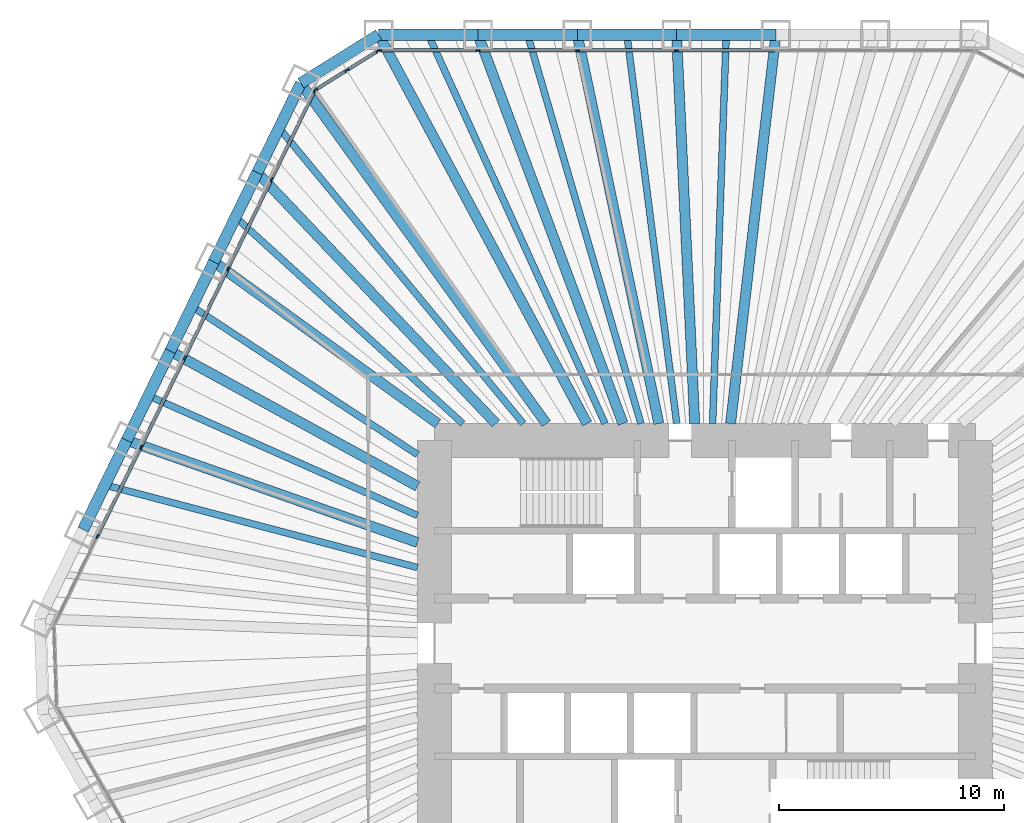
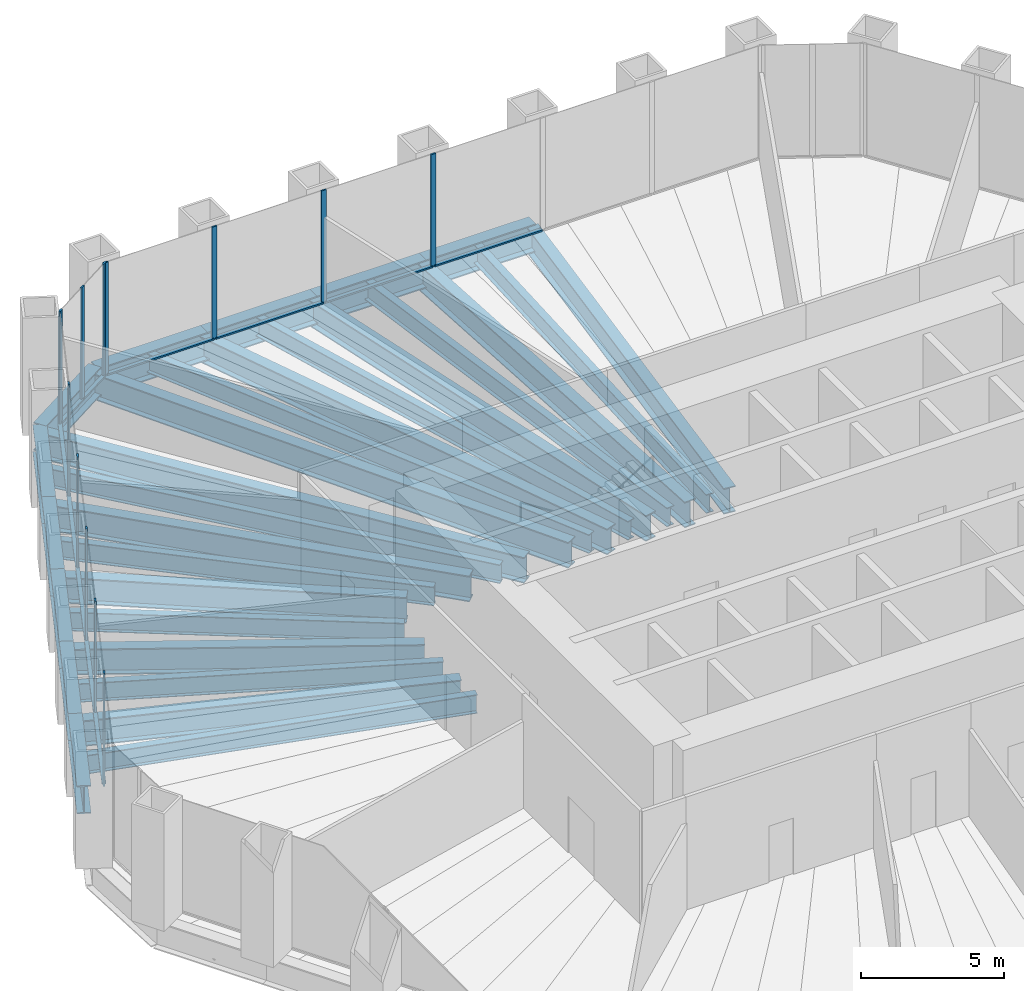
# One storey, part 6 of 14: 29 beams, 24 members, 3 elements without a shape of their own.
"""IFC4 building model written with IfcOpenShell, lengths in metres."""

from ifc_helpers import new_model, si_unit, direction, frame, origin, origin_2d, place, context, subcontext, project, spatial, rectangle, i_section, extrude, material, material_profile, profile_set, type_object, element, aggregate, save


model = new_model("IFC4")

# Units and contexts
model_context = context("Model", 3, precision=1e-05, world=origin(), true_north=direction((0.0, 1.0)))
body_context = subcontext(model_context, "Body", "Model", "MODEL_VIEW")
ifc_project = project(units=[si_unit("LENGTHUNIT", "METRE"), si_unit("AREAUNIT", "SQUARE_METRE"), si_unit("VOLUMEUNIT", "CUBIC_METRE"), si_unit("PLANEANGLEUNIT", "RADIAN"), si_unit("MASSUNIT", "GRAM", prefix="KILO")], contexts=[model_context])

# Site, building, storey
site_placement = place(None, origin())
site = spatial("IfcSite", under=ifc_project, at=site_placement, CompositionType="ELEMENT")
building_placement = place(site_placement, origin())
building = spatial("IfcBuilding", under=site, at=building_placement, Name="Qingtian Harvest Tower", CompositionType="ELEMENT")
storey_placement = place(building_placement, frame((0.0, 0.0, 82.0)))
storey = spatial("IfcBuildingStorey", under=building, at=storey_placement, Name="L16", CompositionType="ELEMENT", Elevation=82.0)

# Beams
ifc_material_1 = material(Name="Steel SM570MC", Category="steel")
ifc_material_profile_1 = material_profile(ifc_material_1, i_section(OverallWidth=0.449951171875, OverallDepth=1.10009765625, WebThickness=0.02197265625, FlangeThickness=0.044921875, at=origin_2d()), Name="H1100x450x22x45")
ifc_profile_set_1 = profile_set([ifc_material_profile_1], Name="Steel SM570MC")
beam_type_1 = type_object("IfcBeamType", Name="Corner floor beam FB8 H1100x450x22x45", PredefinedType="BEAM", material=ifc_profile_set_1)
beam_1_placement = place(storey_placement, frame((-14.471435546875, 27.0, -0.75), z_axis=(0.472401408299, -0.881383520062, 0.0), x_axis=(0.881383520062, 0.472401408299, 0.0)))
element("IfcBeam", 1, at=beam_1_placement, inside=storey, type_object=beam_type_1, Name="Floor beam FB8 N0", PredefinedType="BEAM", context=body_context, shape_type="SweptSolid", body=[
    extrude(i_section(OverallWidth=0.449951171875, OverallDepth=1.10009765625, WebThickness=0.02197265625, FlangeThickness=0.044921875, at=origin_2d()), origin(), (0.0, 0.0, 1.0), 19.571533203125),
])
beam_2_placement = place(storey_placement, frame((-17.923583984375, 24.8427734375, -0.75), z_axis=(0.585095822328, -0.810964166098, 0.0), x_axis=(0.810964166098, 0.585095822328, 0.0)))
element("IfcBeam", 2, at=beam_2_placement, inside=storey, type_object=beam_type_1, Name="Floor beam FB8 NW6", PredefinedType="BEAM", context=body_context, shape_type="SweptSolid", body=[
    extrude(i_section(OverallWidth=0.449951171875, OverallDepth=1.10009765625, WebThickness=0.02197265625, FlangeThickness=0.044921875, at=origin_2d()), origin(), (0.0, 0.0, 1.0), 18.61083984375),
])
ifc_material_2 = material(Name="Steel SM570MC", Category="steel")
ifc_material_profile_2 = material_profile(ifc_material_2, i_section(OverallWidth=0.449951171875, OverallDepth=1.10009765625, WebThickness=0.02197265625, FlangeThickness=0.044921875, at=origin_2d()), Name="H1100x450x22x45")
ifc_profile_set_2 = profile_set([ifc_material_profile_2], Name="Steel SM570MC")
beam_type_2 = type_object("IfcBeamType", Name="Floor beam FB1 H1100x450x22x45", PredefinedType="BEAM", material=ifc_profile_set_2)
beam_3_placement = place(storey_placement, frame((-10.06689453125, 27.0, -0.75), z_axis=(0.349355612113, -0.936990211414, 0.0), x_axis=(0.936990211414, 0.349355612113, 0.0)))
element("IfcBeam", 3, at=beam_3_placement, inside=storey, type_object=beam_type_2, Name="Floor beam FB1 N1", PredefinedType="BEAM", context=body_context, shape_type="SweptSolid", body=[
    extrude(i_section(OverallWidth=0.449951171875, OverallDepth=1.10009765625, WebThickness=0.02197265625, FlangeThickness=0.044921875, at=origin_2d()), origin(), (0.0, 0.0, 1.0), 18.409912109375),
])
beam_4_placement = place(storey_placement, frame((-5.662353515625, 27.0, -0.75), z_axis=(0.205255077335, -0.978708512903, 0.0), x_axis=(0.978708512903, 0.205255077335, 0.0)))
element("IfcBeam", 4, at=beam_4_placement, inside=storey, type_object=beam_type_2, Name="Floor beam FB1 N2", PredefinedType="BEAM", context=body_context, shape_type="SweptSolid", body=[
    extrude(i_section(OverallWidth=0.449951171875, OverallDepth=1.10009765625, WebThickness=0.02197265625, FlangeThickness=0.044921875, at=origin_2d()), origin(), (0.0, 0.0, 1.0), 17.625244140625),
])
beam_5_placement = place(storey_placement, frame((-1.257568359375, 27.0, -0.75), z_axis=(0.046527342366, -0.99891701678, 0.0), x_axis=(0.99891701678, 0.046527342366, 0.0)))
element("IfcBeam", 5, at=beam_5_placement, inside=storey, type_object=beam_type_2, Name="Floor beam FB1 N3", PredefinedType="BEAM", context=body_context, shape_type="SweptSolid", body=[
    extrude(i_section(OverallWidth=0.449951171875, OverallDepth=1.10009765625, WebThickness=0.02197265625, FlangeThickness=0.044921875, at=origin_2d()), origin(), (0.0, 0.0, 1.0), 17.268798828125),
])
beam_6_placement = place(storey_placement, frame((3.14697265625, 27.0, -0.75), z_axis=(-0.115766971807, -0.993276400726, 0.0), x_axis=(0.993276400726, -0.115766971807, 0.0)))
element("IfcBeam", 6, at=beam_6_placement, inside=storey, type_object=beam_type_2, Name="Floor beam FB1 N4", PredefinedType="BEAM", context=body_context, shape_type="SweptSolid", body=[
    extrude(i_section(OverallWidth=0.449951171875, OverallDepth=1.10009765625, WebThickness=0.02197265625, FlangeThickness=0.044921875, at=origin_2d()), origin(), (0.0, 0.0, 1.0), 17.36669921875),
])
beam_7_placement = place(storey_placement, frame((-25.64697265625, 9.007568359375, -0.75), z_axis=(0.943501950009, -0.331366972296, 0.0), x_axis=(0.331366972296, 0.943501950009, 0.0)))
element("IfcBeam", 7, at=beam_7_placement, inside=storey, type_object=beam_type_2, Name="Floor beam FB1 NW2", PredefinedType="BEAM", context=body_context, shape_type="SweptSolid", body=[
    extrude(i_section(OverallWidth=0.449951171875, OverallDepth=1.10009765625, WebThickness=0.02197265625, FlangeThickness=0.044921875, at=origin_2d()), origin(), (0.0, 0.0, 1.0), 13.669189453125),
])
beam_8_placement = place(storey_placement, frame((-23.716064453125, 12.96630859375, -0.75), z_axis=(0.877428569154, -0.479707312882, 0.0), x_axis=(0.479707312882, 0.877428569154, 0.0)))
element("IfcBeam", 8, at=beam_8_placement, inside=storey, type_object=beam_type_2, Name="Floor beam FB1 NW3", PredefinedType="BEAM", context=body_context, shape_type="SweptSolid", body=[
    extrude(i_section(OverallWidth=0.449951171875, OverallDepth=1.10009765625, WebThickness=0.02197265625, FlangeThickness=0.044921875, at=origin_2d()), origin(), (0.0, 0.0, 1.0), 12.498046875),
])
beam_9_placement = place(storey_placement, frame((-21.78515625, 16.92529296875, -0.75), z_axis=(0.810680279019, -0.585489099139, 0.0), x_axis=(0.585489099139, 0.810680279019, 0.0)))
element("IfcBeam", 9, at=beam_9_placement, inside=storey, type_object=beam_type_2, Name="Floor beam FB1 NW4", PredefinedType="BEAM", context=body_context, shape_type="SweptSolid", body=[
    extrude(i_section(OverallWidth=0.449951171875, OverallDepth=1.10009765625, WebThickness=0.02197265625, FlangeThickness=0.044921875, at=origin_2d()), origin(), (0.0, 0.0, 1.0), 12.255126953125),
])
beam_10_placement = place(storey_placement, frame((-19.8544921875, 20.884033203125, -0.75), z_axis=(0.689018801535, -0.724743465739, 0.0), x_axis=(0.724743465739, 0.689018801535, 0.0)))
element("IfcBeam", 10, at=beam_10_placement, inside=storey, type_object=beam_type_2, Name="Floor beam FB1 NW5", PredefinedType="BEAM", context=body_context, shape_type="SweptSolid", body=[
    extrude(i_section(OverallWidth=0.449951171875, OverallDepth=1.10009765625, WebThickness=0.02197265625, FlangeThickness=0.044921875, at=origin_2d()), origin(), (0.0, 0.0, 1.0), 15.36279296875),
])
ifc_material_3 = material(Name="Steel SN490B", Category="steel")
ifc_material_profile_3 = material_profile(ifc_material_3, i_section(OverallWidth=0.300048828125, OverallDepth=0.800048828125, WebThickness=0.013916015625, FlangeThickness=0.02587890625, at=origin_2d()), Name="H800x300x14x26")
ifc_profile_set_3 = profile_set([ifc_material_profile_3], Name="Steel SN490B")
beam_type_3 = type_object("IfcBeamType", Name="Floor joist J1 H800x300x14x26", PredefinedType="JOIST", material=ifc_profile_set_3)
beam_11_placement = place(storey_placement, frame((-12.269287109375, 27.0, -0.60009765625), z_axis=(0.413713629402, -0.910407069858, 0.0), x_axis=(0.910407069858, 0.413713629402, 0.0)))
element("IfcBeam", 11, at=beam_11_placement, inside=storey, type_object=beam_type_3, Name="Floor joist J1 N0", PredefinedType="JOIST", context=body_context, shape_type="SweptSolid", body=[
    extrude(i_section(OverallWidth=0.300048828125, OverallDepth=0.800048828125, WebThickness=0.013916015625, FlangeThickness=0.02587890625, at=origin_2d()), origin(), (0.0, 0.0, 1.0), 18.947509765625),
])
beam_12_placement = place(storey_placement, frame((-7.864501953125, 27.0, -0.60009765625), z_axis=(0.279649335299, -0.960102207719, 0.0), x_axis=(0.960102207719, 0.279649335299, 0.0)))
element("IfcBeam", 12, at=beam_12_placement, inside=storey, type_object=beam_type_3, Name="Floor joist J1 N1", PredefinedType="JOIST", context=body_context, shape_type="SweptSolid", body=[
    extrude(i_section(OverallWidth=0.300048828125, OverallDepth=0.800048828125, WebThickness=0.013916015625, FlangeThickness=0.02587890625, at=origin_2d()), origin(), (0.0, 0.0, 1.0), 17.966796875),
])
beam_13_placement = place(storey_placement, frame((-3.4599609375, 27.0, -0.60009765625), z_axis=(0.127102696173, -0.991889562716, 0.0), x_axis=(0.991889562716, 0.127102696173, 0.0)))
element("IfcBeam", 13, at=beam_13_placement, inside=storey, type_object=beam_type_3, Name="Floor joist J1 N2", PredefinedType="JOIST", context=body_context, shape_type="SweptSolid", body=[
    extrude(i_section(OverallWidth=0.300048828125, OverallDepth=0.800048828125, WebThickness=0.013916015625, FlangeThickness=0.02587890625, at=origin_2d()), origin(), (0.0, 0.0, 1.0), 17.39111328125),
])
beam_14_placement = place(storey_placement, frame((0.944580078125, 27.0, -0.60009765625), z_axis=(-0.034965020137, -0.99938853674, 0.0), x_axis=(0.99938853674, -0.034965020137, 0.0)))
element("IfcBeam", 14, at=beam_14_placement, inside=storey, type_object=beam_type_3, Name="Floor joist J1 N3", PredefinedType="JOIST", context=body_context, shape_type="SweptSolid", body=[
    extrude(i_section(OverallWidth=0.300048828125, OverallDepth=0.800048828125, WebThickness=0.013916015625, FlangeThickness=0.02587890625, at=origin_2d()), origin(), (0.0, 0.0, 1.0), 17.260498046875),
])
beam_15_placement = place(storey_placement, frame((-26.6123046875, 7.028076171875, -0.60009765625), z_axis=(0.966852496992, -0.255335561684, 0.0), x_axis=(0.255335561684, 0.966852496992, 0.0)))
element("IfcBeam", 15, at=beam_15_placement, inside=storey, type_object=beam_type_3, Name="Floor joist J1 NW1", PredefinedType="JOIST", context=body_context, shape_type="SweptSolid", body=[
    extrude(i_section(OverallWidth=0.300048828125, OverallDepth=0.800048828125, WebThickness=0.013916015625, FlangeThickness=0.02587890625, at=origin_2d()), origin(), (0.0, 0.0, 1.0), 14.337646484375),
])
beam_16_placement = place(storey_placement, frame((-24.681640625, 10.987060546875, -0.60009765625), z_axis=(0.913567796195, -0.406686466157, 0.0), x_axis=(0.406686466157, 0.913567796195, 0.0)))
element("IfcBeam", 16, at=beam_16_placement, inside=storey, type_object=beam_type_3, Name="Floor joist J1 NW2", PredefinedType="JOIST", context=body_context, shape_type="SweptSolid", body=[
    extrude(i_section(OverallWidth=0.300048828125, OverallDepth=0.800048828125, WebThickness=0.013916015625, FlangeThickness=0.02587890625, at=origin_2d()), origin(), (0.0, 0.0, 1.0), 13.060546875),
])
beam_17_placement = place(storey_placement, frame((-22.750732421875, 14.94580078125, -0.60009765625), z_axis=(0.835785467613, -0.549056146607, 0.0), x_axis=(0.549056146607, 0.835785467613, 0.0)))
element("IfcBeam", 17, at=beam_17_placement, inside=storey, type_object=beam_type_3, Name="Floor joist J1 NW3", PredefinedType="JOIST", context=body_context, shape_type="SweptSolid", body=[
    extrude(i_section(OverallWidth=0.300048828125, OverallDepth=0.800048828125, WebThickness=0.013916015625, FlangeThickness=0.02587890625, at=origin_2d()), origin(), (0.0, 0.0, 1.0), 11.965576171875),
])
beam_18_placement = place(storey_placement, frame((-20.81982421875, 18.904541015625, -0.60009765625), z_axis=(0.740339866926, -0.672232758381, 0.0), x_axis=(0.672232758381, 0.740339866926, 0.0)))
element("IfcBeam", 18, at=beam_18_placement, inside=storey, type_object=beam_type_3, Name="Floor joist J1 NW4", PredefinedType="JOIST", context=body_context, shape_type="SweptSolid", body=[
    extrude(i_section(OverallWidth=0.300048828125, OverallDepth=0.800048828125, WebThickness=0.013916015625, FlangeThickness=0.02587890625, at=origin_2d()), origin(), (0.0, 0.0, 1.0), 13.6181640625),
])
beam_19_placement = place(storey_placement, frame((-18.888916015625, 22.863525390625, -0.60009765625), z_axis=(0.636910378144, -0.77093785107, 0.0), x_axis=(0.77093785107, 0.636910378144, 0.0)))
element("IfcBeam", 19, at=beam_19_placement, inside=storey, type_object=beam_type_3, Name="Floor joist J1 NW5", PredefinedType="JOIST", context=body_context, shape_type="SweptSolid", body=[
    extrude(i_section(OverallWidth=0.300048828125, OverallDepth=0.800048828125, WebThickness=0.013916015625, FlangeThickness=0.02587890625, at=origin_2d()), origin(), (0.0, 0.0, 1.0), 17.009765625),
])

# Curtain wall, members
ifc_material_4 = material(Name="Bronze-anodised aluminium curtain wall", Category="aluminium")
curtain_wall_type = type_object("IfcCurtainWallType", Name="Curtain wall CW2 farm reception", PredefinedType="USERDEFINED", material=ifc_material_4)
curtain_wall_1_placement = place(storey_placement, origin())
curtain_wall_1 = element("IfcCurtainWall", 20, at=curtain_wall_1_placement, inside=storey, type_object=curtain_wall_type, Name="Curtain wall CW2 L16 N0-5", ObjectType="RECESSED CURTAIN WALL", PredefinedType="USERDEFINED")
ifc_material_5 = material(Name="Bronze-anodised aluminium mullion", Category="aluminium")
ifc_material_profile_4 = material_profile(ifc_material_5, rectangle(XDim=0.06494140625, YDim=0.199951171875, at=origin_2d()), Name="AL 65x200")
ifc_profile_set_4 = profile_set([ifc_material_profile_4], Name="Bronze-anodised aluminium mullion")
member_type_1 = type_object("IfcMemberType", Name="Mullion CWM 65x200", PredefinedType="MULLION", material=ifc_profile_set_4)
member_1_placement = place(storey_placement, frame((-14.43896484375, 26.300048828125, 0.0), z_axis=(0.0, 0.0, 1.0), x_axis=(0.0, 1.0, 0.0)))
member_1 = element("IfcMember", 21, at=member_1_placement, type_object=member_type_1, Name="CW2 mullion 1", PredefinedType="MULLION", context=body_context, shape_type="SweptSolid", body=[
    extrude(rectangle(XDim=0.06494140625, YDim=0.199951171875, at=origin_2d()), origin(), (0.0, 0.0, 1.0), 4.800048828125),
])
member_2_placement = place(storey_placement, frame((-10.06689453125, 26.300048828125, 0.0), z_axis=(0.0, 0.0, 1.0), x_axis=(0.0, 1.0, 0.0)))
member_2 = element("IfcMember", 22, at=member_2_placement, type_object=member_type_1, Name="CW2 mullion 2", PredefinedType="MULLION", context=body_context, shape_type="SweptSolid", body=[
    extrude(rectangle(XDim=0.06494140625, YDim=0.199951171875, at=origin_2d()), origin(), (0.0, 0.0, 1.0), 4.800048828125),
])
member_3_placement = place(storey_placement, frame((-5.662353515625, 26.300048828125, 0.0), z_axis=(0.0, 0.0, 1.0), x_axis=(0.0, 1.0, 0.0)))
member_3 = element("IfcMember", 23, at=member_3_placement, type_object=member_type_1, Name="CW2 mullion 3", PredefinedType="MULLION", context=body_context, shape_type="SweptSolid", body=[
    extrude(rectangle(XDim=0.06494140625, YDim=0.199951171875, at=origin_2d()), origin(), (0.0, 0.0, 1.0), 4.800048828125),
])
member_4_placement = place(storey_placement, frame((-1.257568359375, 26.300048828125, 0.0), z_axis=(0.0, 0.0, 1.0), x_axis=(0.0, 1.0, 0.0)))
member_4 = element("IfcMember", 24, at=member_4_placement, type_object=member_type_1, Name="CW2 mullion 4", PredefinedType="MULLION", context=body_context, shape_type="SweptSolid", body=[
    extrude(rectangle(XDim=0.06494140625, YDim=0.199951171875, at=origin_2d()), origin(), (0.0, 0.0, 1.0), 4.800048828125),
])

curtain_wall_2_placement = place(storey_placement, origin())
curtain_wall_2 = element("IfcCurtainWall", 25, at=curtain_wall_2_placement, inside=storey, type_object=curtain_wall_type, Name="Curtain wall CW2 L16 NW0-5", ObjectType="RECESSED CURTAIN WALL", PredefinedType="USERDEFINED")
member_5_placement = place(storey_placement, frame((-26.94873046875, 4.741943359375, 0.0), z_axis=(0.0, 0.0, 1.0), x_axis=(-0.898794046299, 0.438371146789, 0.0)))
member_5 = element("IfcMember", 26, at=member_5_placement, type_object=member_type_1, Name="CW2 mullion 2", PredefinedType="MULLION", context=body_context, shape_type="SweptSolid", body=[
    extrude(rectangle(XDim=0.06494140625, YDim=0.199951171875, at=origin_2d()), origin(), (0.0, 0.0, 1.0), 4.800048828125),
])
member_6_placement = place(storey_placement, frame((-25.017822265625, 8.70068359375, 0.0), z_axis=(0.0, 0.0, 1.0), x_axis=(-0.898794046299, 0.438371146789, 0.0)))
member_6 = element("IfcMember", 27, at=member_6_placement, type_object=member_type_1, Name="CW2 mullion 3", PredefinedType="MULLION", context=body_context, shape_type="SweptSolid", body=[
    extrude(rectangle(XDim=0.06494140625, YDim=0.199951171875, at=origin_2d()), origin(), (0.0, 0.0, 1.0), 4.800048828125),
])
member_7_placement = place(storey_placement, frame((-23.0869140625, 12.659423828125, 0.0), z_axis=(0.0, 0.0, 1.0), x_axis=(-0.898794046299, 0.438371146789, 0.0)))
member_7 = element("IfcMember", 28, at=member_7_placement, type_object=member_type_1, Name="CW2 mullion 4", PredefinedType="MULLION", context=body_context, shape_type="SweptSolid", body=[
    extrude(rectangle(XDim=0.06494140625, YDim=0.199951171875, at=origin_2d()), origin(), (0.0, 0.0, 1.0), 4.800048828125),
])
member_8_placement = place(storey_placement, frame((-21.156005859375, 16.618408203125, 0.0), z_axis=(0.0, 0.0, 1.0), x_axis=(-0.898794046299, 0.438371146789, 0.0)))
member_8 = element("IfcMember", 29, at=member_8_placement, type_object=member_type_1, Name="CW2 mullion 5", PredefinedType="MULLION", context=body_context, shape_type="SweptSolid", body=[
    extrude(rectangle(XDim=0.06494140625, YDim=0.199951171875, at=origin_2d()), origin(), (0.0, 0.0, 1.0), 4.800048828125),
])
member_9_placement = place(storey_placement, frame((-19.225341796875, 20.5771484375, 0.0), z_axis=(0.0, 0.0, 1.0), x_axis=(-0.898794046299, 0.438371146789, 0.0)))
member_9 = element("IfcMember", 30, at=member_9_placement, type_object=member_type_1, Name="CW2 mullion 6", PredefinedType="MULLION", context=body_context, shape_type="SweptSolid", body=[
    extrude(rectangle(XDim=0.06494140625, YDim=0.199951171875, at=origin_2d()), origin(), (0.0, 0.0, 1.0), 4.800048828125),
])
member_10_placement = place(storey_placement, frame((-17.30859375, 24.5068359375, 0.0), z_axis=(0.0, 0.0, 1.0), x_axis=(-0.898794046299, 0.438371146789, 0.0)))
member_10 = element("IfcMember", 31, at=member_10_placement, type_object=member_type_1, Name="CW2 mullion 7", PredefinedType="MULLION", context=body_context, shape_type="SweptSolid", body=[
    extrude(rectangle(XDim=0.06494140625, YDim=0.199951171875, at=origin_2d()), origin(), (0.0, 0.0, 1.0), 4.800048828125),
])

curtain_wall_3_placement = place(storey_placement, origin())
curtain_wall_3 = element("IfcCurtainWall", 32, at=curtain_wall_3_placement, inside=storey, type_object=curtain_wall_type, Name="Curtain wall CW2 L16 NWC", ObjectType="RECESSED CURTAIN WALL", PredefinedType="USERDEFINED")
member_11_placement = place(storey_placement, frame((-17.266845703125, 24.55322265625, 0.0), z_axis=(0.0, 0.0, 1.0), x_axis=(-0.529919264233, 0.848048096156, 0.0)))
member_11 = element("IfcMember", 33, at=member_11_placement, type_object=member_type_1, Name="CW2 mullion 1", PredefinedType="MULLION", context=body_context, shape_type="SweptSolid", body=[
    extrude(rectangle(XDim=0.06494140625, YDim=0.199951171875, at=origin_2d()), origin(), (0.0, 0.0, 1.0), 4.800048828125),
])
member_12_placement = place(storey_placement, frame((-15.883056640625, 25.41796875, 0.0), z_axis=(0.0, 0.0, 1.0), x_axis=(-0.529919264233, 0.848048096156, 0.0)))
member_12 = element("IfcMember", 34, at=member_12_placement, type_object=member_type_1, Name="CW2 mullion 2", PredefinedType="MULLION", context=body_context, shape_type="SweptSolid", body=[
    extrude(rectangle(XDim=0.06494140625, YDim=0.199951171875, at=origin_2d()), origin(), (0.0, 0.0, 1.0), 4.800048828125),
])
member_13_placement = place(storey_placement, frame((-14.4990234375, 26.28271484375, 0.0), z_axis=(0.0, 0.0, 1.0), x_axis=(-0.529919264233, 0.848048096156, 0.0)))
member_13 = element("IfcMember", 35, at=member_13_placement, type_object=member_type_1, Name="CW2 mullion 3", PredefinedType="MULLION", context=body_context, shape_type="SweptSolid", body=[
    extrude(rectangle(XDim=0.06494140625, YDim=0.199951171875, at=origin_2d()), origin(), (0.0, 0.0, 1.0), 4.800048828125),
])

# Beams
ifc_material_6 = material(Name="Steel SM570MC", Category="steel")
ifc_material_profile_5 = material_profile(ifc_material_6, i_section(OverallWidth=0.5, OverallDepth=1.199951171875, WebThickness=0.02490234375, FlangeThickness=0.050048828125, at=origin_2d()), Name="H1200x500x25x50")
ifc_profile_set_5 = profile_set([ifc_material_profile_5], Name="Steel SM570MC")
beam_type_4 = type_object("IfcBeamType", Name="Spandrel beam SB1 H1200x500x25x50", PredefinedType="SPANDREL", material=ifc_profile_set_5)
for number, where, z_axis, x_axis, name in (
    (36, (-14.471435546875, 27.0, -0.60009765625), (1.0, 0.0, 0.0), (0.0, 1.0, 0.0), "Spandrel SB1 N0"),
    (37, (-10.06689453125, 27.0, -0.60009765625), (1.0, 0.0, 0.0), (0.0, 1.0, 0.0), "Spandrel SB1 N1"),
):
    element("IfcBeam", number, at=place(storey_placement, frame(where, z_axis=z_axis, x_axis=x_axis)), inside=storey, type_object=beam_type_4, Name=name, PredefinedType="SPANDREL", context=body_context, shape_type="SweptSolid", body=[
        extrude(i_section(OverallWidth=0.5, OverallDepth=1.199951171875, WebThickness=0.02490234375, FlangeThickness=0.050048828125, at=origin_2d()), origin(), (0.0, 0.0, 1.0), 4.404541015625),
    ])
beam_20_placement = place(storey_placement, frame((-5.662353515625, 27.0, -0.60009765625), z_axis=(1.0, 0.0, 0.0), x_axis=(0.0, 1.0, 0.0)))
element("IfcBeam", 38, at=beam_20_placement, inside=storey, type_object=beam_type_4, Name="Spandrel SB1 N2", PredefinedType="SPANDREL", context=body_context, shape_type="SweptSolid", body=[
    extrude(i_section(OverallWidth=0.5, OverallDepth=1.199951171875, WebThickness=0.02490234375, FlangeThickness=0.050048828125, at=origin_2d()), origin(), (0.0, 0.0, 1.0), 4.40478515625),
])
for number, where, z_axis, x_axis, name in (
    (39, (-1.257568359375, 27.0, -0.60009765625), (1.0, 0.0, 0.0), (0.0, 1.0, 0.0), "Spandrel SB1 N3"),
    (40, (-27.577880859375, 5.048828125, -0.60009765625), (0.438389777529, 0.898784959241, 0.0), (-0.898784959241, 0.438389777529, 0.0), "Spandrel SB1 NW1"),
    (41, (-25.64697265625, 9.007568359375, -0.60009765625), (0.438389777529, 0.898784959241, 0.0), (-0.898784959241, 0.438389777529, 0.0), "Spandrel SB1 NW2"),
):
    element("IfcBeam", number, at=place(storey_placement, frame(where, z_axis=z_axis, x_axis=x_axis)), inside=storey, type_object=beam_type_4, Name=name, PredefinedType="SPANDREL", context=body_context, shape_type="SweptSolid", body=[
        extrude(i_section(OverallWidth=0.5, OverallDepth=1.199951171875, WebThickness=0.02490234375, FlangeThickness=0.050048828125, at=origin_2d()), origin(), (0.0, 0.0, 1.0), 4.404541015625),
    ])
beam_21_placement = place(storey_placement, frame((-23.716064453125, 12.96630859375, -0.60009765625), z_axis=(0.438367938366, 0.898795611145, 0.0), x_axis=(-0.898795611145, 0.438367938366, 0.0)))
element("IfcBeam", 42, at=beam_21_placement, inside=storey, type_object=beam_type_4, Name="Spandrel SB1 NW3", PredefinedType="SPANDREL", context=body_context, shape_type="SweptSolid", body=[
    extrude(i_section(OverallWidth=0.5, OverallDepth=1.199951171875, WebThickness=0.02490234375, FlangeThickness=0.050048828125, at=origin_2d()), origin(), (0.0, 0.0, 1.0), 4.40478515625),
])
for number, where, z_axis, x_axis, name in (
    (43, (-21.78515625, 16.92529296875, -0.60009765625), (0.438344999367, 0.898806798778, 0.0), (-0.898806798778, 0.438344999367, 0.0), "Spandrel SB1 NW4"),
    (44, (-19.8544921875, 20.884033203125, -0.60009765625), (0.438389777529, 0.898784959241, 0.0), (-0.898784959241, 0.438389777529, 0.0), "Spandrel SB1 NW5"),
):
    element("IfcBeam", number, at=place(storey_placement, frame(where, z_axis=z_axis, x_axis=x_axis)), inside=storey, type_object=beam_type_4, Name=name, PredefinedType="SPANDREL", context=body_context, shape_type="SweptSolid", body=[
        extrude(i_section(OverallWidth=0.5, OverallDepth=1.199951171875, WebThickness=0.02490234375, FlangeThickness=0.050048828125, at=origin_2d()), origin(), (0.0, 0.0, 1.0), 4.404541015625),
    ])
beam_22_placement = place(storey_placement, frame((-17.923583984375, 24.8427734375, -0.60009765625), z_axis=(0.848038733752, 0.529934246919, 0.0), x_axis=(-0.529934246919, 0.848038733752, 0.0)))
element("IfcBeam", 45, at=beam_22_placement, inside=storey, type_object=beam_type_4, Name="Spandrel SB1 NWC", PredefinedType="SPANDREL", context=body_context, shape_type="SweptSolid", body=[
    extrude(i_section(OverallWidth=0.5, OverallDepth=1.199951171875, WebThickness=0.02490234375, FlangeThickness=0.050048828125, at=origin_2d()), origin(), (0.0, 0.0, 1.0), 4.07080078125),
])

# Member
ifc_material_7 = material(Name="Bronze-anodised aluminium transom", Category="aluminium")
ifc_material_profile_6 = material_profile(ifc_material_7, rectangle(XDim=0.14990234375, YDim=0.06494140625, at=origin_2d()), Name="AL 65x150")
ifc_profile_set_6 = profile_set([ifc_material_profile_6], Name="Bronze-anodised aluminium transom")
member_type_2 = type_object("IfcMemberType", Name="Transom CWT 65x150", PredefinedType="USERDEFINED", material=ifc_profile_set_6)
member_14_placement = place(storey_placement, frame((-14.406494140625, 26.300048828125, 0.032470703125), z_axis=(1.0, 0.0, 0.0), x_axis=(0.0, 1.0, 0.0)))
member_14 = element("IfcMember", 46, at=member_14_placement, type_object=member_type_2, Name="CW2 transom 1.1", ObjectType="TRANSOM", PredefinedType="USERDEFINED", context=body_context, shape_type="SweptSolid", body=[
    extrude(rectangle(XDim=0.14990234375, YDim=0.06494140625, at=origin_2d()), origin(), (0.0, 0.0, 1.0), 4.30712890625),
])

member_15_placement = place(storey_placement, frame((-10.034423828125, 26.300048828125, 0.032470703125), z_axis=(1.0, 0.0, 0.0), x_axis=(0.0, 1.0, 0.0)))
member_15 = element("IfcMember", 47, at=member_15_placement, type_object=member_type_2, Name="CW2 transom 2.1", ObjectType="TRANSOM", PredefinedType="USERDEFINED", context=body_context, shape_type="SweptSolid", body=[
    extrude(rectangle(XDim=0.14990234375, YDim=0.06494140625, at=origin_2d()), origin(), (0.0, 0.0, 1.0), 4.339599609375),
])

member_16_placement = place(storey_placement, frame((-5.6298828125, 26.300048828125, 0.032470703125), z_axis=(1.0, 0.0, 0.0), x_axis=(0.0, 1.0, 0.0)))
member_16 = element("IfcMember", 48, at=member_16_placement, type_object=member_type_2, Name="CW2 transom 3.1", ObjectType="TRANSOM", PredefinedType="USERDEFINED", context=body_context, shape_type="SweptSolid", body=[
    extrude(rectangle(XDim=0.14990234375, YDim=0.06494140625, at=origin_2d()), origin(), (0.0, 0.0, 1.0), 4.33984375),
])

member_17_placement = place(storey_placement, frame((-1.22509765625, 26.300048828125, 0.032470703125), z_axis=(1.0, 0.0, 0.0), x_axis=(0.0, 1.0, 0.0)))
member_17 = element("IfcMember", 49, at=member_17_placement, type_object=member_type_2, Name="CW2 transom 4.1", ObjectType="TRANSOM", PredefinedType="USERDEFINED", context=body_context, shape_type="SweptSolid", body=[
    extrude(rectangle(XDim=0.14990234375, YDim=0.06494140625, at=origin_2d()), origin(), (0.0, 0.0, 1.0), 4.339599609375),
])

aggregate(curtain_wall_1, [member_1, member_2, member_3, member_4, member_14, member_15, member_16, member_17])

member_18_placement = place(storey_placement, frame((-26.934326171875, 4.77099609375, 0.032470703125), z_axis=(0.438370427127, 0.898794397302, 0.0), x_axis=(-0.898794397302, 0.438370427127, 0.0)))
member_18 = element("IfcMember", 50, at=member_18_placement, type_object=member_type_2, Name="CW2 transom 2.1", ObjectType="TRANSOM", PredefinedType="USERDEFINED", context=body_context, shape_type="SweptSolid", body=[
    extrude(rectangle(XDim=0.14990234375, YDim=0.06494140625, at=origin_2d()), origin(), (0.0, 0.0, 1.0), 4.339599609375),
])

member_19_placement = place(storey_placement, frame((-25.003662109375, 8.72998046875, 0.032470703125), z_axis=(0.438370427127, 0.898794397302, 0.0), x_axis=(-0.898794397302, 0.438370427127, 0.0)))
member_19 = element("IfcMember", 51, at=member_19_placement, type_object=member_type_2, Name="CW2 transom 3.1", ObjectType="TRANSOM", PredefinedType="USERDEFINED", context=body_context, shape_type="SweptSolid", body=[
    extrude(rectangle(XDim=0.14990234375, YDim=0.06494140625, at=origin_2d()), origin(), (0.0, 0.0, 1.0), 4.339599609375),
])

member_20_placement = place(storey_placement, frame((-23.07275390625, 12.688720703125, 0.032470703125), z_axis=(0.438370427127, 0.898794397302, 0.0), x_axis=(-0.898794397302, 0.438370427127, 0.0)))
member_20 = element("IfcMember", 52, at=member_20_placement, type_object=member_type_2, Name="CW2 transom 4.1", ObjectType="TRANSOM", PredefinedType="USERDEFINED", context=body_context, shape_type="SweptSolid", body=[
    extrude(rectangle(XDim=0.14990234375, YDim=0.06494140625, at=origin_2d()), origin(), (0.0, 0.0, 1.0), 4.339599609375),
])

member_21_placement = place(storey_placement, frame((-21.141845703125, 16.6474609375, 0.032470703125), z_axis=(0.438348261778, 0.898805207704, 0.0), x_axis=(-0.898805207704, 0.438348261778, 0.0)))
member_21 = element("IfcMember", 53, at=member_21_placement, type_object=member_type_2, Name="CW2 transom 5.1", ObjectType="TRANSOM", PredefinedType="USERDEFINED", context=body_context, shape_type="SweptSolid", body=[
    extrude(rectangle(XDim=0.14990234375, YDim=0.06494140625, at=origin_2d()), origin(), (0.0, 0.0, 1.0), 4.33984375),
])

member_22_placement = place(storey_placement, frame((-19.2109375, 20.6064453125, 0.032470703125), z_axis=(0.438348803491, 0.89880494351, 0.0), x_axis=(-0.89880494351, 0.438348803491, 0.0)))
member_22 = element("IfcMember", 54, at=member_22_placement, type_object=member_type_2, Name="CW2 transom 6.1", ObjectType="TRANSOM", PredefinedType="USERDEFINED", context=body_context, shape_type="SweptSolid", body=[
    extrude(rectangle(XDim=0.14990234375, YDim=0.06494140625, at=origin_2d()), origin(), (0.0, 0.0, 1.0), 4.306884765625),
])

aggregate(curtain_wall_2, [member_5, member_6, member_7, member_8, member_9, member_10, member_18, member_19, member_20, member_21, member_22])

member_23_placement = place(storey_placement, frame((-17.2392578125, 24.570556640625, 0.032470703125), z_axis=(0.848059570903, 0.529900900357, 0.0), x_axis=(-0.529900900357, 0.848059570903, 0.0)))
member_23 = element("IfcMember", 55, at=member_23_placement, type_object=member_type_2, Name="CW2 transom 1.1", ObjectType="TRANSOM", PredefinedType="USERDEFINED", context=body_context, shape_type="SweptSolid", body=[
    extrude(rectangle(XDim=0.14990234375, YDim=0.06494140625, at=origin_2d()), origin(), (0.0, 0.0, 1.0), 1.56689453125),
])

member_24_placement = place(storey_placement, frame((-15.85546875, 25.435302734375, 0.032470703125), z_axis=(0.848059570903, 0.529900900357, 0.0), x_axis=(-0.529900900357, 0.848059570903, 0.0)))
member_24 = element("IfcMember", 56, at=member_24_placement, type_object=member_type_2, Name="CW2 transom 2.1", ObjectType="TRANSOM", PredefinedType="USERDEFINED", context=body_context, shape_type="SweptSolid", body=[
    extrude(rectangle(XDim=0.14990234375, YDim=0.06494140625, at=origin_2d()), origin(), (0.0, 0.0, 1.0), 1.56689453125),
])

aggregate(curtain_wall_3, [member_11, member_12, member_13, member_23, member_24])

save(model, "model.ifc")
